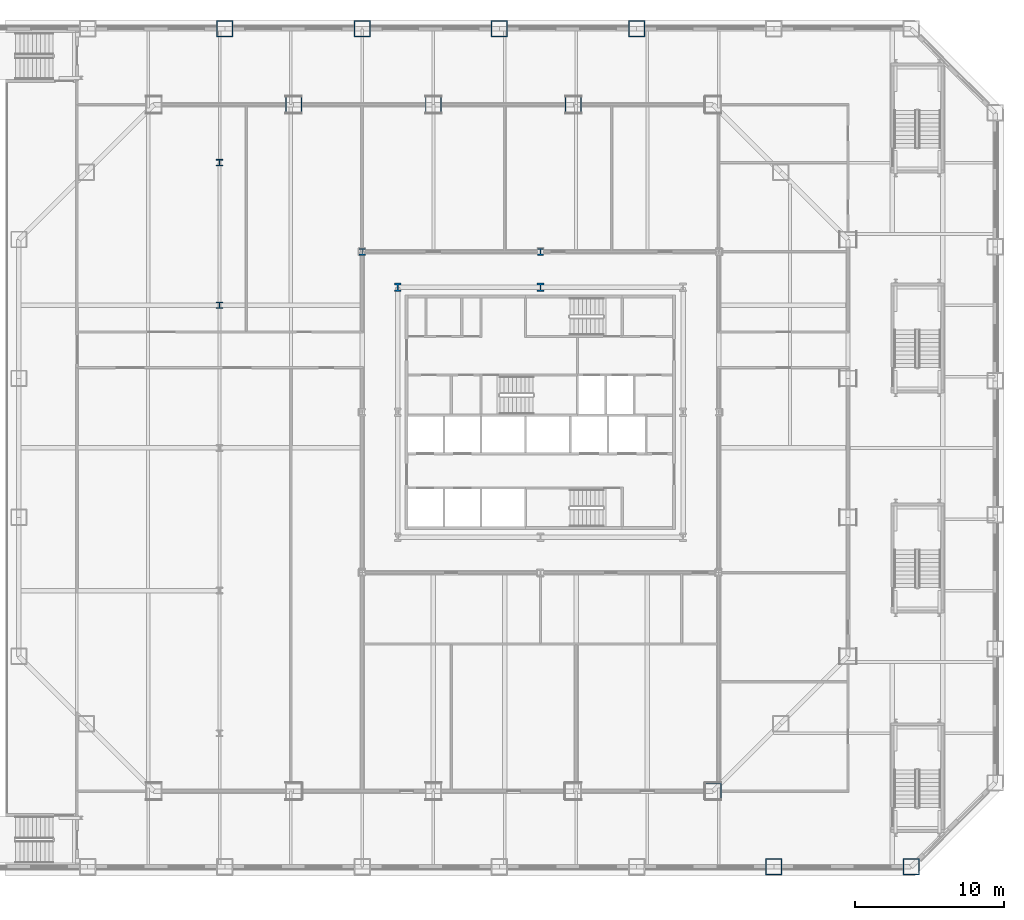
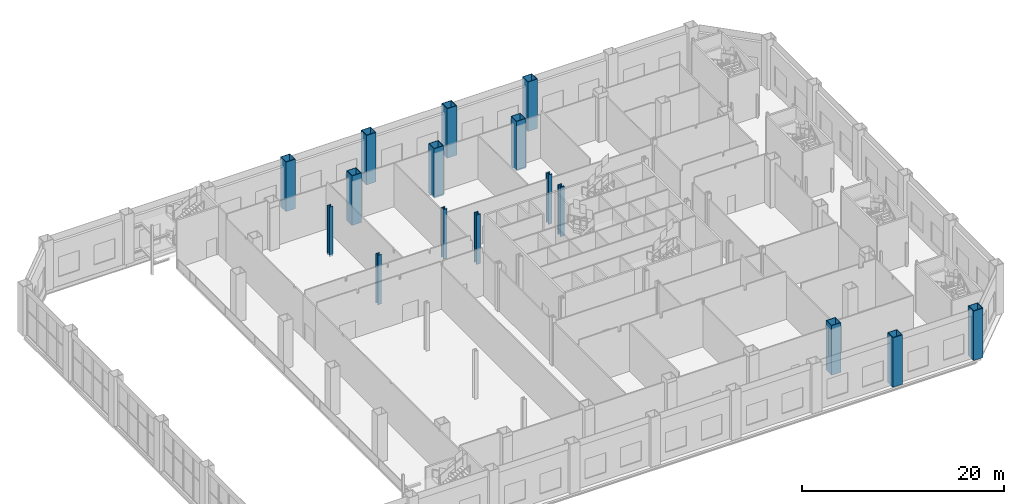
# One storey, part 4 of 31: 16 columns.
"""IFC4 building model written with IfcOpenShell, lengths in metres."""

from ifc_helpers import new_model, si_unit, direction, frame, origin, origin_2d, place, context, subcontext, project, spatial, hollow_rectangle, i_section, extrude, material, material_profile, profile_set, type_object, element, save


model = new_model("IFC4")

# Units and contexts
model_context = context("Model", 3, precision=1e-05, world=origin(), true_north=direction((0.0, 1.0)))
body_context = subcontext(model_context, "Body", "Model", "MODEL_VIEW")
ifc_project = project(units=[si_unit("LENGTHUNIT", "METRE"), si_unit("AREAUNIT", "SQUARE_METRE"), si_unit("VOLUMEUNIT", "CUBIC_METRE"), si_unit("PLANEANGLEUNIT", "RADIAN"), si_unit("MASSUNIT", "GRAM", prefix="KILO")], contexts=[model_context])

# Site, building, storey
site_placement = place(None, origin())
site = spatial("IfcSite", under=ifc_project, at=site_placement, CompositionType="ELEMENT")
building_placement = place(site_placement, origin())
building = spatial("IfcBuilding", under=site, at=building_placement, Name="Cairn Pilgrim Tower", CompositionType="ELEMENT")
storey_placement = place(building_placement, frame((0.0, 0.0, 15.0)))
storey = spatial("IfcBuildingStorey", under=building, at=storey_placement, Name="L02", CompositionType="ELEMENT", Elevation=15.0)

# Columns
ifc_material = material(Name="Structural steel S460M", Category="steel")
ifc_material_profile_1 = material_profile(ifc_material, hollow_rectangle(XDim=1.10009765625, YDim=1.10009765625, WallThickness=0.06005859375, at=origin_2d()), Name="BOX 1100x1100x60")
ifc_profile_set_1 = profile_set([ifc_material_profile_1], Name="Structural steel S460M")
column_type_1 = type_object("IfcColumnType", Name="BOX 1100x1100x60", PredefinedType="COLUMN", material=ifc_profile_set_1)
for number, where, z_axis, x_axis, name in (
    (1, (18.8271484375, -23.10009765625, -0.199951171875), (0.0, 0.0, 1.0), (1.0, 0.0, 0.0), "PC1-SE1"),
    (2, (9.41357421875, 23.10009765625, -0.199951171875), (0.0, 0.0, 1.0), (1.0, 0.0, 0.0), "PC1-N2"),
    (3, (0.0, 23.10009765625, -0.199951171875), (0.0, 0.0, 1.0), (1.0, 0.0, 0.0), "PC1-N3"),
    (4, (-9.41357421875, 23.10009765625, -0.199951171875), (0.0, 0.0, 1.0), (1.0, 0.0, 0.0), "PC1-N4"),
):
    element("IfcColumn", number, at=place(storey_placement, frame(where, z_axis=z_axis, x_axis=x_axis)), inside=storey, type_object=column_type_1, Name=name, PredefinedType="COLUMN", context=body_context, shape_type="SweptSolid", body=[
        extrude(hollow_rectangle(XDim=1.10009765625, YDim=1.10009765625, WallThickness=0.06005859375, at=origin_2d()), origin(), (0.0, 0.0, 1.0), 6.0),
    ])
ifc_material_profile_2 = material_profile(ifc_material, i_section(OverallWidth=0.4541015625, OverallDepth=0.569091796875, WebThickness=0.077880859375, FlangeThickness=0.125, FilletRadius=0.014892578125, at=origin_2d()), Name="HD 400x1086")
ifc_profile_set_2 = profile_set([ifc_material_profile_2], Name="Structural steel S460M")
column_type_2 = type_object("IfcColumnType", Name="HD 400x1086", PredefinedType="COLUMN", material=ifc_profile_set_2)
for number, where, z_axis, x_axis, name in (
    (5, (-2.39990234375, 10.800048828125, -0.199951171875), (0.0, 0.0, 1.0), (1.0, 0.0, 0.0), "KC-6"),
    (6, (7.199951171875, 10.800048828125, -0.199951171875), (0.0, 0.0, 1.0), (1.0, 0.0, 0.0), "KC-7"),
):
    element("IfcColumn", number, at=place(storey_placement, frame(where, z_axis=z_axis, x_axis=x_axis)), inside=storey, type_object=column_type_2, Name=name, PredefinedType="COLUMN", context=body_context, shape_type="SweptSolid", body=[
        extrude(i_section(OverallWidth=0.4541015625, OverallDepth=0.569091796875, WebThickness=0.077880859375, FlangeThickness=0.125, FilletRadius=0.014892578125, at=origin_2d()), origin(), (0.0, 0.0, 1.0), 6.0),
    ])
ifc_material_profile_3 = material_profile(ifc_material, i_section(OverallWidth=0.408935546875, OverallDepth=0.425048828125, WebThickness=0.03271484375, FlangeThickness=0.052490234375, FilletRadius=0.014892578125, at=origin_2d()), Name="HD 400x421")
ifc_profile_set_3 = profile_set([ifc_material_profile_3], Name="Structural steel S460M")
column_type_3 = type_object("IfcColumnType", Name="HD 400x421", PredefinedType="COLUMN", material=ifc_profile_set_3)
for number, where, z_axis, x_axis, name in (
    (7, (-14.39990234375, 9.60009765625, -0.199951171875), (0.0, 0.0, 1.0), (1.0, 0.0, 0.0), "WC-WW+2"),
    (8, (-14.39990234375, 19.199951171875, -0.199951171875), (0.0, 0.0, 1.0), (1.0, 0.0, 0.0), "WC-WW+4"),
):
    element("IfcColumn", number, at=place(storey_placement, frame(where, z_axis=z_axis, x_axis=x_axis)), inside=storey, type_object=column_type_3, Name=name, PredefinedType="COLUMN", context=body_context, shape_type="SweptSolid", body=[
        extrude(i_section(OverallWidth=0.408935546875, OverallDepth=0.425048828125, WebThickness=0.03271484375, FlangeThickness=0.052490234375, FilletRadius=0.014892578125, at=origin_2d()), origin(), (0.0, 0.0, 1.0), 6.0),
    ])
ifc_material_profile_4 = material_profile(ifc_material, i_section(OverallWidth=0.424072265625, OverallDepth=0.47412109375, WebThickness=0.047607421875, FlangeThickness=0.0771484375, FilletRadius=0.014892578125, at=origin_2d()), Name="HD 400x634")
ifc_profile_set_4 = profile_set([ifc_material_profile_4], Name="Structural steel S460M")
column_type_4 = type_object("IfcColumnType", Name="HD 400x634", PredefinedType="COLUMN", material=ifc_profile_set_4)
for number, where, z_axis, x_axis, name in (
    (9, (-4.800048828125, 13.199951171875, -0.199951171875), (0.0, 0.0, 1.0), (1.0, 0.0, 0.0), "IC-6"),
    (10, (7.199951171875, 13.199951171875, -0.199951171875), (0.0, 0.0, 1.0), (1.0, 0.0, 0.0), "IC-7"),
):
    element("IfcColumn", number, at=place(storey_placement, frame(where, z_axis=z_axis, x_axis=x_axis)), inside=storey, type_object=column_type_4, Name=name, PredefinedType="COLUMN", context=body_context, shape_type="SweptSolid", body=[
        extrude(i_section(OverallWidth=0.424072265625, OverallDepth=0.47412109375, WebThickness=0.047607421875, FlangeThickness=0.0771484375, FilletRadius=0.014892578125, at=origin_2d()), origin(), (0.0, 0.0, 1.0), 6.0),
    ])
ifc_material_profile_5 = material_profile(ifc_material, hollow_rectangle(XDim=1.10009765625, YDim=1.10009765625, WallThickness=0.06005859375, at=origin_2d()), Name="BOX 1100x1100x60")
ifc_profile_set_5 = profile_set([ifc_material_profile_5], Name="Structural steel S460M")
column_type_5 = type_object("IfcColumnType", Name="PILOTIS CFT 1100", PredefinedType="COLUMN", material=ifc_profile_set_5)
for number, where, z_axis, x_axis, name in (
    (11, (22.91357421875, -28.199951171875, 0.0), (0.0, 0.0, 1.0), (1.0, 0.0, 0.0), "PILOTIS PL-S8"),
    (12, (32.151611328125, -28.199951171875, 0.0), (0.0, 0.0, 1.0), (1.0, 0.0, 0.0), "PILOTIS PL-SE1"),
    (13, (13.67578125, 28.199951171875, 0.0), (0.0, 0.0, 1.0), (1.0, 0.0, 0.0), "PILOTIS PL-N3"),
    (14, (4.43798828125, 28.199951171875, 0.0), (0.0, 0.0, 1.0), (1.0, 0.0, 0.0), "PILOTIS PL-N4"),
    (15, (-4.800048828125, 28.199951171875, 0.0), (0.0, 0.0, 1.0), (1.0, 0.0, 0.0), "PILOTIS PL-N5"),
    (16, (-14.037841796875, 28.199951171875, 0.0), (0.0, 0.0, 1.0), (1.0, 0.0, 0.0), "PILOTIS PL-N6"),
):
    element("IfcColumn", number, at=place(storey_placement, frame(where, z_axis=z_axis, x_axis=x_axis)), inside=storey, type_object=column_type_5, Name=name, PredefinedType="COLUMN", context=body_context, shape_type="SweptSolid", body=[
        extrude(hollow_rectangle(XDim=1.10009765625, YDim=1.10009765625, WallThickness=0.06005859375, at=origin_2d()), origin(), (0.0, 0.0, 1.0), 6.0),
    ])

save(model, "model.ifc")
